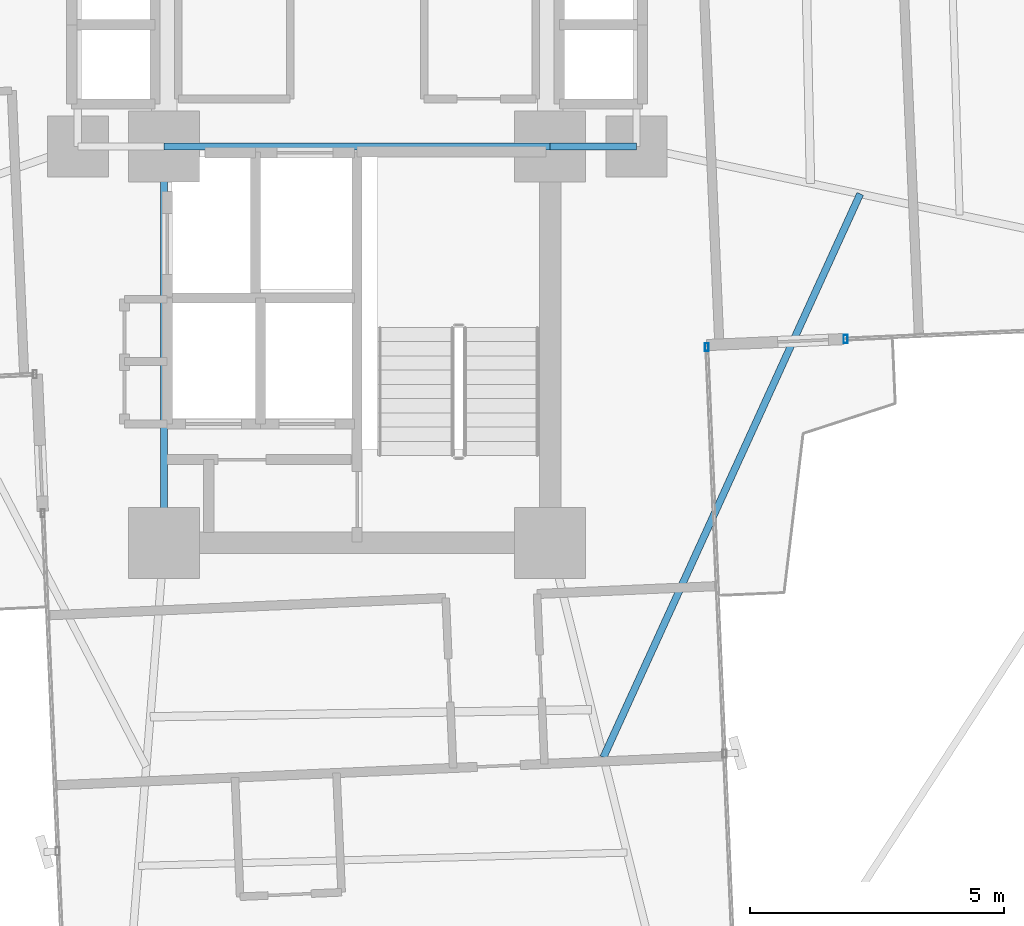
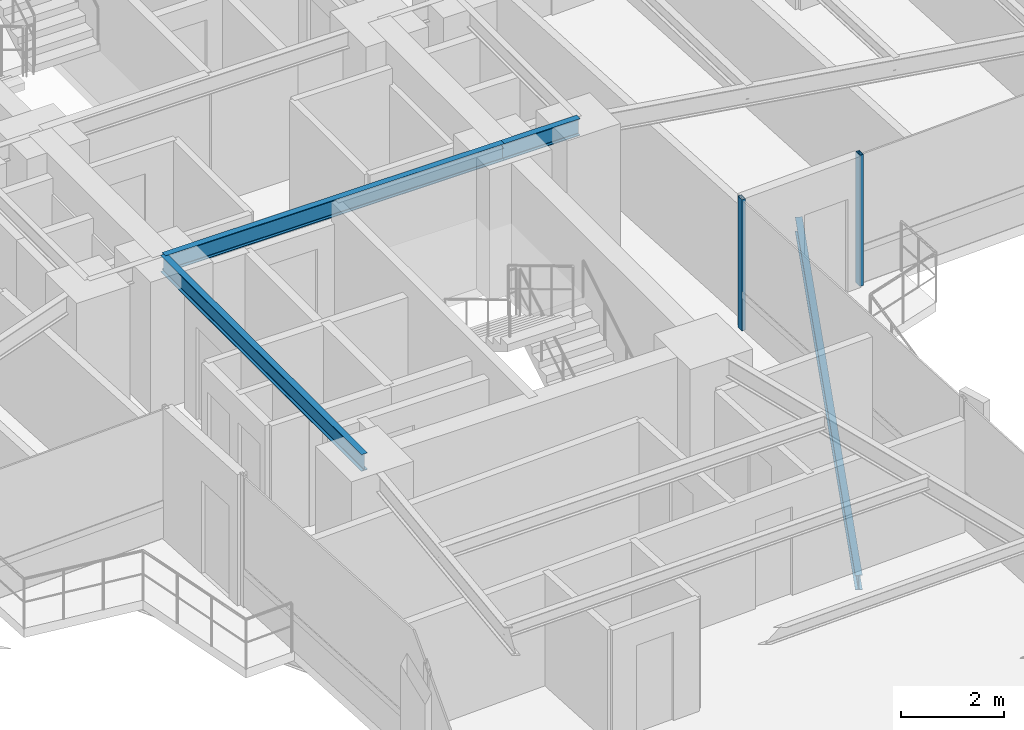
# One storey, part 11 of 26: 4 beams, 2 members, 2 elements without a shape of their own.
"""IFC4 building model written with IfcOpenShell, lengths in metres."""

from ifc_helpers import new_model, si_unit, direction, frame, origin, origin_2d, place, context, subcontext, project, spatial, hollow_rectangle, i_section, extrude, source, transform, mapped, material, material_profile, profile_set, type_object, element, aggregate, save


model = new_model("IFC4")

# Units and contexts
model_context = context("Model", 3, precision=1e-05, world=origin(), true_north=direction((0.0, 1.0)))
body_context = subcontext(model_context, "Body", "Model", "MODEL_VIEW")
ifc_project = project(units=[si_unit("LENGTHUNIT", "METRE"), si_unit("AREAUNIT", "SQUARE_METRE"), si_unit("VOLUMEUNIT", "CUBIC_METRE"), si_unit("PLANEANGLEUNIT", "RADIAN"), si_unit("MASSUNIT", "GRAM", prefix="KILO")], contexts=[model_context])

# Site, building, storey
site_placement = place(None, origin())
site = spatial("IfcSite", under=ifc_project, at=site_placement, CompositionType="ELEMENT")
building_placement = place(site_placement, origin())
building = spatial("IfcBuilding", under=site, at=building_placement, Name="Sahyath Konkavel Grand Hotel", CompositionType="ELEMENT")
storey_placement = place(building_placement, frame((0.0, 0.0, 118.14990234375)))
storey = spatial("IfcBuildingStorey", under=building, at=storey_placement, Name="L32", CompositionType="ELEMENT", Elevation=118.14990234375)

# Beams
ifc_material_1 = material(Name="Steel E350", Category="steel")
ifc_material_profile_1 = material_profile(ifc_material_1, i_section(OverallWidth=0.139892578125, OverallDepth=0.39990234375, WebThickness=0.0087890625, FlangeThickness=0.01611328125, FilletRadius=0.013916015625, at=origin_2d()), Name="ISMB 400")
ifc_profile_set_1 = profile_set([ifc_material_profile_1], Name="Steel E350")
beam_type_1 = type_object("IfcBeamType", Name="BM-ISMB400", PredefinedType="BEAM", material=ifc_profile_set_1)
shared_shape_1 = source(origin(), body_context, "Body", "SweptSolid", [
    extrude(i_section(OverallWidth=0.139892578125, OverallDepth=0.39990234375, WebThickness=0.0087890625, FlangeThickness=0.01611328125, FilletRadius=0.013916015625, at=origin_2d()), origin(), (0.0, 0.0, 1.0), 7.60009765625),
])
beam_1_placement = place(storey_placement, frame((-3.800048828125, -2.39990234375, 2.91015625), z_axis=(1.0, 0.0, 0.0), x_axis=(0.0, 1.0, 0.0)))
element("IfcBeam", 1, at=beam_1_placement, inside=storey, type_object=beam_type_1, Name="str:bm:L32:SC-N", PredefinedType="BEAM", context=body_context, shape_type="MappedRepresentation", body=[
    mapped(shared_shape_1, transform((0.0, 0.0, 0.0), scale=1.0)),
])
shared_shape_2 = source(origin(), body_context, "Body", "SweptSolid", [
    extrude(i_section(OverallWidth=0.139892578125, OverallDepth=0.39990234375, WebThickness=0.0087890625, FlangeThickness=0.01611328125, FilletRadius=0.013916015625, at=origin_2d()), origin(), (0.0, 0.0, 1.0), 7.800048828125),
])
beam_2_placement = place(storey_placement, frame((-3.800048828125, -10.199951171875, 2.91015625), z_axis=(0.0, 1.0, 0.0), x_axis=(-1.0, 0.0, 0.0)))
element("IfcBeam", 2, at=beam_2_placement, inside=storey, type_object=beam_type_1, Name="str:bm:L32:SC-W", PredefinedType="BEAM", context=body_context, shape_type="MappedRepresentation", body=[
    mapped(shared_shape_2, transform((0.0, 0.0, 0.0), scale=1.0)),
])
shared_shape_3 = source(origin(), body_context, "Body", "SweptSolid", [
    extrude(i_section(OverallWidth=0.139892578125, OverallDepth=0.39990234375, WebThickness=0.0087890625, FlangeThickness=0.01611328125, FilletRadius=0.013916015625, at=origin_2d()), origin(), (0.0, 0.0, 1.0), 1.699951171875),
])
beam_3_placement = place(storey_placement, frame((3.800048828125, -2.39990234375, 2.91015625), z_axis=(1.0, 0.0, 0.0), x_axis=(0.0, 1.0, 0.0)))
element("IfcBeam", 3, at=beam_3_placement, inside=storey, type_object=beam_type_1, Name="str:bm:L32:HB-SE", PredefinedType="BEAM", context=body_context, shape_type="MappedRepresentation", body=[
    mapped(shared_shape_3, transform((0.0, 0.0, 0.0), scale=1.0)),
])

# Curtain wall, member
ifc_material_2 = material(Name="Anodised Bronze Aluminium & Low-E Glazing", Category="aluminium")
curtain_wall_type = type_object("IfcCurtainWallType", Name="CW-ZONE2", PredefinedType="NOTDEFINED", material=ifc_material_2)
curtain_wall_1_placement = place(storey_placement, origin())
curtain_wall_1 = element("IfcCurtainWall", 4, at=curtain_wall_1_placement, inside=storey, type_object=curtain_wall_type, Name="L32 Unitised Curtain Wall F0", PredefinedType="NOTDEFINED")
ifc_material_3 = material(Name="Anodised Bronze Aluminium", Category="aluminium")
ifc_material_profile_2 = material_profile(ifc_material_3, hollow_rectangle(XDim=0.080078125, YDim=0.159912109375, WallThickness=0.006103515625, at=origin_2d()), Name="RHS 160x80x6")
ifc_profile_set_2 = profile_set([ifc_material_profile_2], Name="Anodised Bronze Aluminium")
member_type = type_object("IfcMemberType", Name="CW-MUL-160", PredefinedType="MULLION", material=ifc_profile_set_2)
shared_shape_4 = source(origin(), body_context, "Body", "SweptSolid", [
    extrude(hollow_rectangle(XDim=0.080078125, YDim=0.159912109375, WallThickness=0.006103515625, at=origin_2d()), origin(), (0.0, 0.0, 1.0), 3.110107421875),
])
member_1_placement = place(storey_placement, frame((9.618896484375, -6.186279296875, 0.0), z_axis=(0.0, 0.0, 1.0), x_axis=(1.0, 0.0, 0.0)))
member_1 = element("IfcMember", 5, at=member_1_placement, type_object=member_type, Name="L32 Curtain Wall Mullion F0-0", PredefinedType="MULLION", context=body_context, shape_type="MappedRepresentation", body=[
    mapped(shared_shape_4, transform((0.0, 0.0, 0.0), scale=1.0)),
])
aggregate(curtain_wall_1, [member_1])

curtain_wall_2_placement = place(storey_placement, origin())
curtain_wall_2 = element("IfcCurtainWall", 6, at=curtain_wall_2_placement, inside=storey, type_object=curtain_wall_type, Name="L32 Unitised Curtain Wall F31", PredefinedType="NOTDEFINED")
member_2_placement = place(storey_placement, frame((6.88330078125, -6.345703125, 0.0), z_axis=(0.0, 0.0, 1.0), x_axis=(1.0, 0.0, 0.0)))
member_2 = element("IfcMember", 7, at=member_2_placement, type_object=member_type, Name="L32 Curtain Wall Mullion F31-2", PredefinedType="MULLION", context=body_context, shape_type="MappedRepresentation", body=[
    mapped(shared_shape_4, transform((0.0, 0.0, 0.0), scale=1.0)),
])
aggregate(curtain_wall_2, [member_2])

# Beam
ifc_material_profile_3 = material_profile(ifc_material_1, i_section(OverallWidth=0.139892578125, OverallDepth=0.35009765625, WebThickness=0.008056640625, FlangeThickness=0.01416015625, FilletRadius=0.013916015625, at=origin_2d()), Name="ISMB 350")
ifc_profile_set_3 = profile_set([ifc_material_profile_3], Name="Steel E350")
beam_type_2 = type_object("IfcBeamType", Name="BM-BALC-CANT", PredefinedType="BEAM", material=ifc_profile_set_3)
shared_shape_5 = source(origin(), body_context, "Body", "SweptSolid", [
    extrude(i_section(OverallWidth=0.139892578125, OverallDepth=0.35009765625, WebThickness=0.008056640625, FlangeThickness=0.01416015625, FilletRadius=0.013916015625, at=origin_2d()), origin(), (0.0, 0.0, 1.0), 12.190673828125),
])
beam_4_placement = place(storey_placement, frame((4.8486328125, -14.422119140625, -0.414794921875), z_axis=(0.414712580086, 0.909952458054, 0.0), x_axis=(-0.909952458054, 0.414712580086, 0.0)))
element("IfcBeam", 8, at=beam_4_placement, inside=storey, type_object=beam_type_2, Name="L32 Balcony Cantilever Support Beam SE", PredefinedType="BEAM", context=body_context, shape_type="MappedRepresentation", body=[
    mapped(shared_shape_5, transform((0.0, 0.0, 0.0), scale=1.0)),
])

save(model, "model.ifc")
